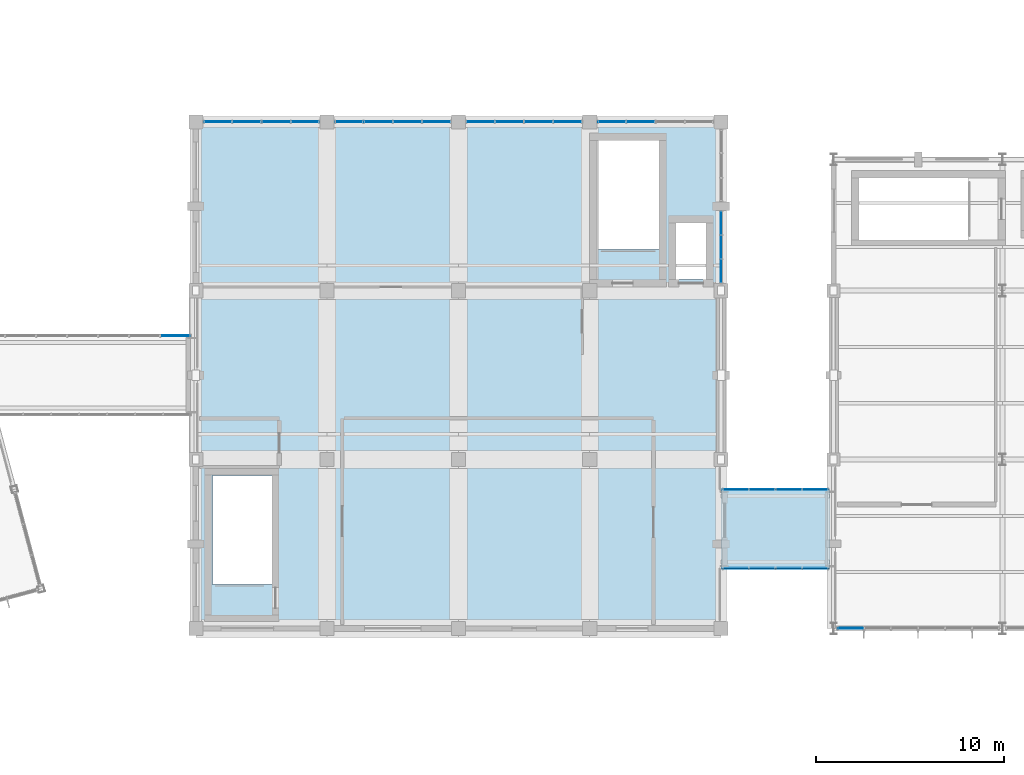
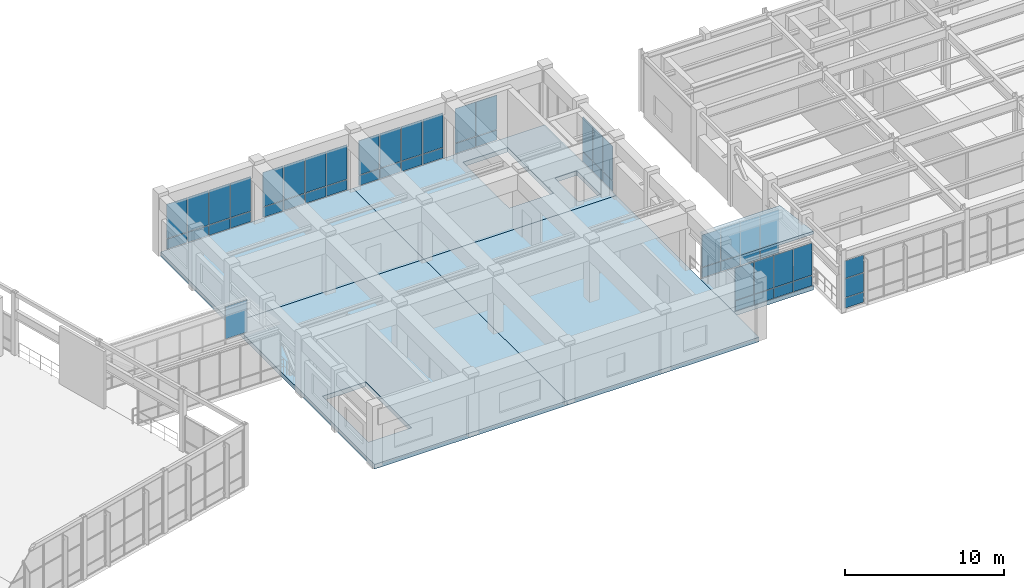
# One storey, part 76 of 99: 54 plates, 6 slabs, 9 elements without a shape of their own.
"""IFC4 building model written with IfcOpenShell, lengths in metres."""

from ifc_helpers import new_model, si_unit, direction, frame, origin, origin_2d, place, context, subcontext, project, spatial, polyline, rectangle, outline, extrude, material, layer, layer_set, type_object, element, aggregate, save


model = new_model("IFC4")

# Units and contexts
model_context = context("Model", 3, precision=1e-05, world=origin(), true_north=direction((0.0, 1.0)))
body_context = subcontext(model_context, "Body", "Model", "MODEL_VIEW")
ifc_project = project(units=[si_unit("LENGTHUNIT", "METRE"), si_unit("AREAUNIT", "SQUARE_METRE"), si_unit("VOLUMEUNIT", "CUBIC_METRE"), si_unit("PLANEANGLEUNIT", "RADIAN"), si_unit("MASSUNIT", "GRAM", prefix="KILO")], contexts=[model_context])

# Site, building, storey
site_placement = place(None, origin())
site = spatial("IfcSite", under=ifc_project, at=site_placement, CompositionType="ELEMENT")
building_placement = place(site_placement, origin())
building = spatial("IfcBuilding", under=site, at=building_placement, Name="Ventoquebrada Cableway Terminal", CompositionType="ELEMENT")
storey_placement = place(building_placement, frame((0.0, 0.0, 9.60009765625)))
storey = spatial("IfcBuildingStorey", under=building, at=storey_placement, Name="L02", CompositionType="ELEMENT", Elevation=9.60009765625)

# Curtain wall, plate
ifc_material_1 = material(Name="Anodized thermally-broken aluminium", Category="aluminium")
ifc_layer_1 = layer(ifc_material_1, 0.159912109375)
ifc_layer_set_1 = layer_set([ifc_layer_1], Name="Anodized thermally-broken aluminium")
curtain_wall_type_1 = type_object("IfcCurtainWallType", Name="CW-T28", PredefinedType="USERDEFINED", material=ifc_layer_set_1)
curtain_wall_1_placement = place(storey_placement, origin())
curtain_wall_1 = element("IfcCurtainWall", 1, at=curtain_wall_1_placement, inside=storey, type_object=curtain_wall_type_1, Name="Unitised glazed curtain wall CW-067", ObjectType="UNITISED CURTAIN WALL", PredefinedType="USERDEFINED")
ifc_material_2 = material(Name="Double low-e laminated safety glazing", Category="glass")
ifc_layer_2 = layer(ifc_material_2, 0.031982421875)
ifc_layer_set_2 = layer_set([ifc_layer_2], Name="Double low-e laminated safety glazing")
plate_type_1 = type_object("IfcPlateType", Name="CWP-GL1", PredefinedType="CURTAIN_PANEL", material=ifc_layer_set_2)
plate_1_placement = place(storey_placement, frame((123.0, 97.324951171875, 0.874267578125), z_axis=(0.0, 0.0, 1.0), x_axis=(0.0, 1.0, 0.0)))
plate_1 = element("IfcPlate", 2, at=plate_1_placement, type_object=plate_type_1, Name="Vision glazing panel PN-0668", PredefinedType="CURTAIN_PANEL", context=body_context, shape_type="SweptSolid", body=[
    extrude(rectangle(XDim=1.248046875, YDim=0.031982421875, at=origin_2d()), origin(), (0.0, 0.0, 1.0), 2.64111328125),
])

# Curtain wall, plates
ifc_layer_3 = layer(ifc_material_1, 0.159912109375)
ifc_layer_set_3 = layer_set([ifc_layer_3], Name="Anodized thermally-broken aluminium")
curtain_wall_type_2 = type_object("IfcCurtainWallType", Name="CW-T29", PredefinedType="USERDEFINED", material=ifc_layer_set_3)
curtain_wall_2_placement = place(storey_placement, origin())
curtain_wall_2 = element("IfcCurtainWall", 3, at=curtain_wall_2_placement, inside=storey, type_object=curtain_wall_type_2, Name="Unitised glazed curtain wall CW-069", ObjectType="UNITISED CURTAIN WALL", PredefinedType="USERDEFINED")
plate_2_placement = place(storey_placement, frame((99.280029296875, 104.0, 0.874267578125), z_axis=(0.0, 0.0, 1.0), x_axis=(-1.0, 0.0, 0.0)))
plate_2 = element("IfcPlate", 4, at=plate_2_placement, type_object=plate_type_1, Name="Vision glazing panel PN-0680", PredefinedType="CURTAIN_PANEL", context=body_context, shape_type="SweptSolid", body=[
    extrude(rectangle(XDim=1.510986328125, YDim=0.031982421875, at=origin_2d()), origin(), (0.0, 0.0, 1.0), 2.64111328125),
])
plate_3_placement = place(storey_placement, frame((96.177001953125, 104.0, 0.874267578125), z_axis=(0.0, 0.0, 1.0), x_axis=(-1.0, 0.0, 0.0)))
plate_3 = element("IfcPlate", 5, at=plate_3_placement, type_object=plate_type_1, Name="Vision glazing panel PN-0684", PredefinedType="CURTAIN_PANEL", context=body_context, shape_type="SweptSolid", body=[
    extrude(rectangle(XDim=1.47607421875, YDim=0.031982421875, at=origin_2d()), origin(), (0.0, 0.0, 1.0), 2.64111328125),
])

curtain_wall_3_placement = place(storey_placement, origin())
curtain_wall_3 = element("IfcCurtainWall", 6, at=curtain_wall_3_placement, inside=storey, type_object=curtain_wall_type_2, Name="Unitised glazed curtain wall CW-070", ObjectType="UNITISED CURTAIN WALL", PredefinedType="USERDEFINED")
plate_4_placement = place(storey_placement, frame((106.280029296875, 104.0, 0.874267578125), z_axis=(0.0, 0.0, 1.0), x_axis=(-1.0, 0.0, 0.0)))
plate_4 = element("IfcPlate", 7, at=plate_4_placement, type_object=plate_type_1, Name="Vision glazing panel PN-0688", PredefinedType="CURTAIN_PANEL", context=body_context, shape_type="SweptSolid", body=[
    extrude(rectangle(XDim=1.510986328125, YDim=0.031982421875, at=origin_2d()), origin(), (0.0, 0.0, 1.0), 2.64111328125),
])
plate_5_placement = place(storey_placement, frame((103.177001953125, 104.0, 0.874267578125), z_axis=(0.0, 0.0, 1.0), x_axis=(-1.0, 0.0, 0.0)))
plate_5 = element("IfcPlate", 8, at=plate_5_placement, type_object=plate_type_1, Name="Vision glazing panel PN-0692", PredefinedType="CURTAIN_PANEL", context=body_context, shape_type="SweptSolid", body=[
    extrude(rectangle(XDim=1.47607421875, YDim=0.031982421875, at=origin_2d()), origin(), (0.0, 0.0, 1.0), 2.64111328125),
])

curtain_wall_4_placement = place(storey_placement, origin())
curtain_wall_4 = element("IfcCurtainWall", 9, at=curtain_wall_4_placement, inside=storey, type_object=curtain_wall_type_2, Name="Unitised glazed curtain wall CW-071", ObjectType="UNITISED CURTAIN WALL", PredefinedType="USERDEFINED")
plate_6_placement = place(storey_placement, frame((113.280029296875, 104.0, 0.874267578125), z_axis=(0.0, 0.0, 1.0), x_axis=(-1.0, 0.0, 0.0)))
plate_6 = element("IfcPlate", 10, at=plate_6_placement, type_object=plate_type_1, Name="Vision glazing panel PN-0696", PredefinedType="CURTAIN_PANEL", context=body_context, shape_type="SweptSolid", body=[
    extrude(rectangle(XDim=1.510986328125, YDim=0.031982421875, at=origin_2d()), origin(), (0.0, 0.0, 1.0), 2.64111328125),
])
plate_7_placement = place(storey_placement, frame((110.177001953125, 104.0, 0.874267578125), z_axis=(0.0, 0.0, 1.0), x_axis=(-1.0, 0.0, 0.0)))
plate_7 = element("IfcPlate", 11, at=plate_7_placement, type_object=plate_type_1, Name="Vision glazing panel PN-0700", PredefinedType="CURTAIN_PANEL", context=body_context, shape_type="SweptSolid", body=[
    extrude(rectangle(XDim=1.47607421875, YDim=0.031982421875, at=origin_2d()), origin(), (0.0, 0.0, 1.0), 2.64111328125),
])

# Curtain wall, plate
curtain_wall_5_placement = place(storey_placement, origin())
curtain_wall_5 = element("IfcCurtainWall", 12, at=curtain_wall_5_placement, inside=storey, type_object=curtain_wall_type_2, Name="Unitised glazed curtain wall CW-072", ObjectType="UNITISED CURTAIN WALL", PredefinedType="USERDEFINED")
plate_8_placement = place(storey_placement, frame((117.177001953125, 104.0, 0.874267578125), z_axis=(0.0, 0.0, 1.0), x_axis=(-1.0, 0.0, 0.0)))
plate_8 = element("IfcPlate", 13, at=plate_8_placement, type_object=plate_type_1, Name="Vision glazing panel PN-0708", PredefinedType="CURTAIN_PANEL", context=body_context, shape_type="SweptSolid", body=[
    extrude(rectangle(XDim=1.47607421875, YDim=0.031982421875, at=origin_2d()), origin(), (0.0, 0.0, 1.0), 2.64111328125),
])

ifc_layer_4 = layer(ifc_material_1, 0.159912109375)
ifc_layer_set_4 = layer_set([ifc_layer_4], Name="Anodized thermally-broken aluminium")
curtain_wall_type_3 = type_object("IfcCurtainWallType", Name="CW-T33", PredefinedType="USERDEFINED", material=ifc_layer_set_4)
curtain_wall_6_placement = place(storey_placement, origin())
curtain_wall_6 = element("IfcCurtainWall", 14, at=curtain_wall_6_placement, inside=storey, type_object=curtain_wall_type_3, Name="Unitised glazed curtain wall CW-078", ObjectType="UNITISED CURTAIN WALL", PredefinedType="USERDEFINED")
plate_9_placement = place(storey_placement, frame((129.908935546875, 77.0, 2.35693359375), z_axis=(0.0, 0.0, 1.0), x_axis=(1.0, 0.0, 0.0)))
plate_9 = element("IfcPlate", 15, at=plate_9_placement, type_object=plate_type_1, Name="Vision glazing panel PN-0792", PredefinedType="CURTAIN_PANEL", context=body_context, shape_type="SweptSolid", body=[
    extrude(rectangle(XDim=1.360107421875, YDim=0.031982421875, at=origin_2d()), origin(), (0.0, 0.0, 1.0), 1.345947265625),
])

# Curtain wall, plates
ifc_layer_5 = layer(ifc_material_1, 0.159912109375)
ifc_layer_set_5 = layer_set([ifc_layer_5], Name="Anodized thermally-broken aluminium")
curtain_wall_type_4 = type_object("IfcCurtainWallType", Name="CW-T56", PredefinedType="USERDEFINED", material=ifc_layer_set_5)
curtain_wall_7_placement = place(storey_placement, origin())
curtain_wall_7 = element("IfcCurtainWall", 16, at=curtain_wall_7_placement, inside=storey, type_object=curtain_wall_type_4, Name="Unitised glazed curtain wall CW-175", ObjectType="UNITISED CURTAIN WALL", PredefinedType="USERDEFINED")
plate_10_placement = place(storey_placement, frame((125.18603515625, 80.199951171875, 0.87158203125), z_axis=(0.0, 0.0, 1.0), x_axis=(1.0, 0.0, 0.0)))
plate_10 = element("IfcPlate", 17, at=plate_10_placement, type_object=plate_type_1, Name="Vision glazing panel PN-1856", PredefinedType="CURTAIN_PANEL", context=body_context, shape_type="SweptSolid", body=[
    extrude(rectangle(XDim=1.383056640625, YDim=0.031982421875, at=origin_2d()), origin(), (0.0, 0.0, 1.0), 2.470947265625),
])
plate_11_placement = place(storey_placement, frame((128.02392578125, 80.199951171875, 0.87158203125), z_axis=(0.0, 0.0, 1.0), x_axis=(1.0, 0.0, 0.0)))
plate_11 = element("IfcPlate", 18, at=plate_11_placement, type_object=plate_type_1, Name="Vision glazing panel PN-1860", PredefinedType="CURTAIN_PANEL", context=body_context, shape_type="SweptSolid", body=[
    extrude(rectangle(XDim=1.347900390625, YDim=0.031982421875, at=origin_2d()), origin(), (0.0, 0.0, 1.0), 2.470947265625),
])

curtain_wall_8_placement = place(storey_placement, origin())
curtain_wall_8 = element("IfcCurtainWall", 19, at=curtain_wall_8_placement, inside=storey, type_object=curtain_wall_type_4, Name="Unitised glazed curtain wall CW-176", ObjectType="UNITISED CURTAIN WALL", PredefinedType="USERDEFINED")
plate_12_placement = place(storey_placement, frame((126.614013671875, 84.39990234375, 0.87158203125), z_axis=(0.0, 0.0, 1.0), x_axis=(-1.0, 0.0, 0.0)))
plate_12 = element("IfcPlate", 20, at=plate_12_placement, type_object=plate_type_1, Name="Vision glazing panel PN-1864", PredefinedType="CURTAIN_PANEL", context=body_context, shape_type="SweptSolid", body=[
    extrude(rectangle(XDim=1.383056640625, YDim=0.031982421875, at=origin_2d()), origin(), (0.0, 0.0, 1.0), 2.470947265625),
])
plate_13_placement = place(storey_placement, frame((123.77587890625, 84.39990234375, 0.87158203125), z_axis=(0.0, 0.0, 1.0), x_axis=(-1.0, 0.0, 0.0)))
plate_13 = element("IfcPlate", 21, at=plate_13_placement, type_object=plate_type_1, Name="Vision glazing panel PN-1868", PredefinedType="CURTAIN_PANEL", context=body_context, shape_type="SweptSolid", body=[
    extrude(rectangle(XDim=1.347900390625, YDim=0.031982421875, at=origin_2d()), origin(), (0.0, 0.0, 1.0), 2.470947265625),
])

# Plate
ifc_layer_6 = layer(ifc_material_2, 0.0380859375)
ifc_layer_set_6 = layer_set([ifc_layer_6], Name="Double low-e laminated safety glazing")
plate_type_2 = type_object("IfcPlateType", Name="CWP-GL2", PredefinedType="CURTAIN_PANEL", material=ifc_layer_set_6)
plate_14_placement = place(storey_placement, frame((123.0, 96.0458984375, 0.874267578125), z_axis=(0.0, 0.0, 1.0), x_axis=(0.0, 1.0, 0.0)))
plate_14 = element("IfcPlate", 22, at=plate_14_placement, type_object=plate_type_2, Name="Vision glazing panel PN-0666", PredefinedType="CURTAIN_PANEL", context=body_context, shape_type="SweptSolid", body=[
    extrude(rectangle(XDim=1.212890625, YDim=0.0380859375, at=origin_2d()), origin(), (0.0, 0.0, 1.0), 2.64111328125),
])

plate_15_placement = place(storey_placement, frame((123.0, 98.60400390625, 0.874267578125), z_axis=(0.0, 0.0, 1.0), x_axis=(0.0, 1.0, 0.0)))
plate_15 = element("IfcPlate", 23, at=plate_15_placement, type_object=plate_type_2, Name="Vision glazing panel PN-0670", PredefinedType="CURTAIN_PANEL", context=body_context, shape_type="SweptSolid", body=[
    extrude(rectangle(XDim=1.212890625, YDim=0.0380859375, at=origin_2d()), origin(), (0.0, 0.0, 1.0), 2.64111328125),
])

plate_16_placement = place(storey_placement, frame((100.822998046875, 104.0, 0.874267578125), z_axis=(0.0, 0.0, 1.0), x_axis=(-1.0, 0.0, 0.0)))
plate_16 = element("IfcPlate", 24, at=plate_16_placement, type_object=plate_type_2, Name="Vision glazing panel PN-0678", PredefinedType="CURTAIN_PANEL", context=body_context, shape_type="SweptSolid", body=[
    extrude(rectangle(XDim=1.47607421875, YDim=0.0380859375, at=origin_2d()), origin(), (0.0, 0.0, 1.0), 2.64111328125),
])

plate_17_placement = place(storey_placement, frame((97.719970703125, 104.0, 0.874267578125), z_axis=(0.0, 0.0, 1.0), x_axis=(-1.0, 0.0, 0.0)))
plate_17 = element("IfcPlate", 25, at=plate_17_placement, type_object=plate_type_2, Name="Vision glazing panel PN-0682", PredefinedType="CURTAIN_PANEL", context=body_context, shape_type="SweptSolid", body=[
    extrude(rectangle(XDim=1.510986328125, YDim=0.0380859375, at=origin_2d()), origin(), (0.0, 0.0, 1.0), 2.64111328125),
])

plate_18_placement = place(storey_placement, frame((107.822998046875, 104.0, 0.874267578125), z_axis=(0.0, 0.0, 1.0), x_axis=(-1.0, 0.0, 0.0)))
plate_18 = element("IfcPlate", 26, at=plate_18_placement, type_object=plate_type_2, Name="Vision glazing panel PN-0686", PredefinedType="CURTAIN_PANEL", context=body_context, shape_type="SweptSolid", body=[
    extrude(rectangle(XDim=1.47607421875, YDim=0.0380859375, at=origin_2d()), origin(), (0.0, 0.0, 1.0), 2.64111328125),
])

plate_19_placement = place(storey_placement, frame((104.719970703125, 104.0, 0.874267578125), z_axis=(0.0, 0.0, 1.0), x_axis=(-1.0, 0.0, 0.0)))
plate_19 = element("IfcPlate", 27, at=plate_19_placement, type_object=plate_type_2, Name="Vision glazing panel PN-0690", PredefinedType="CURTAIN_PANEL", context=body_context, shape_type="SweptSolid", body=[
    extrude(rectangle(XDim=1.510986328125, YDim=0.0380859375, at=origin_2d()), origin(), (0.0, 0.0, 1.0), 2.64111328125),
])

plate_20_placement = place(storey_placement, frame((114.822998046875, 104.0, 0.874267578125), z_axis=(0.0, 0.0, 1.0), x_axis=(-1.0, 0.0, 0.0)))
plate_20 = element("IfcPlate", 28, at=plate_20_placement, type_object=plate_type_2, Name="Vision glazing panel PN-0694", PredefinedType="CURTAIN_PANEL", context=body_context, shape_type="SweptSolid", body=[
    extrude(rectangle(XDim=1.47607421875, YDim=0.0380859375, at=origin_2d()), origin(), (0.0, 0.0, 1.0), 2.64111328125),
])

plate_21_placement = place(storey_placement, frame((111.719970703125, 104.0, 0.874267578125), z_axis=(0.0, 0.0, 1.0), x_axis=(-1.0, 0.0, 0.0)))
plate_21 = element("IfcPlate", 29, at=plate_21_placement, type_object=plate_type_2, Name="Vision glazing panel PN-0698", PredefinedType="CURTAIN_PANEL", context=body_context, shape_type="SweptSolid", body=[
    extrude(rectangle(XDim=1.510986328125, YDim=0.0380859375, at=origin_2d()), origin(), (0.0, 0.0, 1.0), 2.64111328125),
])

plate_22_placement = place(storey_placement, frame((118.719970703125, 104.0, 0.874267578125), z_axis=(0.0, 0.0, 1.0), x_axis=(-1.0, 0.0, 0.0)))
plate_22 = element("IfcPlate", 30, at=plate_22_placement, type_object=plate_type_2, Name="Vision glazing panel PN-0706", PredefinedType="CURTAIN_PANEL", context=body_context, shape_type="SweptSolid", body=[
    extrude(rectangle(XDim=1.510986328125, YDim=0.0380859375, at=origin_2d()), origin(), (0.0, 0.0, 1.0), 2.64111328125),
])

plate_23_placement = place(storey_placement, frame((129.908935546875, 77.0, 0.873779296875), z_axis=(0.0, 0.0, 1.0), x_axis=(1.0, 0.0, 0.0)))
plate_23 = element("IfcPlate", 31, at=plate_23_placement, type_object=plate_type_2, Name="Vision glazing panel PN-0791", PredefinedType="CURTAIN_PANEL", context=body_context, shape_type="SweptSolid", body=[
    extrude(rectangle(XDim=1.360107421875, YDim=0.0380859375, at=origin_2d()), origin(), (0.0, 0.0, 1.0), 1.43408203125),
])

# Curtain wall, plate
ifc_layer_7 = layer(ifc_material_1, 0.159912109375)
ifc_layer_set_7 = layer_set([ifc_layer_7], Name="Anodized thermally-broken aluminium")
curtain_wall_type_5 = type_object("IfcCurtainWallType", Name="CW-T55", PredefinedType="USERDEFINED", material=ifc_layer_set_7)
curtain_wall_9_placement = place(storey_placement, origin())
curtain_wall_9 = element("IfcCurtainWall", 32, at=curtain_wall_9_placement, inside=storey, type_object=curtain_wall_type_5, Name="Unitised glazed curtain wall CW-174", ObjectType="UNITISED CURTAIN WALL", PredefinedType="USERDEFINED")
plate_24_placement = place(storey_placement, frame((93.909912109375, 92.60009765625, 0.87158203125), z_axis=(0.0, 0.0, 1.0), x_axis=(-1.0, 0.0, 0.0)))
plate_24 = element("IfcPlate", 33, at=plate_24_placement, type_object=plate_type_2, Name="Vision glazing panel PN-1840", PredefinedType="CURTAIN_PANEL", context=body_context, shape_type="SweptSolid", body=[
    extrude(rectangle(XDim=1.574951171875, YDim=0.0380859375, at=origin_2d()), origin(), (0.0, 0.0, 1.0), 2.470947265625),
])
aggregate(curtain_wall_9, [plate_24])

# Plate
plate_25_placement = place(storey_placement, frame((123.77587890625, 80.199951171875, 0.87158203125), z_axis=(0.0, 0.0, 1.0), x_axis=(1.0, 0.0, 0.0)))
plate_25 = element("IfcPlate", 34, at=plate_25_placement, type_object=plate_type_2, Name="Vision glazing panel PN-1854", PredefinedType="CURTAIN_PANEL", context=body_context, shape_type="SweptSolid", body=[
    extrude(rectangle(XDim=1.347900390625, YDim=0.0380859375, at=origin_2d()), origin(), (0.0, 0.0, 1.0), 2.470947265625),
])

plate_26_placement = place(storey_placement, frame((126.614013671875, 80.199951171875, 0.87158203125), z_axis=(0.0, 0.0, 1.0), x_axis=(1.0, 0.0, 0.0)))
plate_26 = element("IfcPlate", 35, at=plate_26_placement, type_object=plate_type_2, Name="Vision glazing panel PN-1858", PredefinedType="CURTAIN_PANEL", context=body_context, shape_type="SweptSolid", body=[
    extrude(rectangle(XDim=1.383056640625, YDim=0.0380859375, at=origin_2d()), origin(), (0.0, 0.0, 1.0), 2.470947265625),
])

plate_27_placement = place(storey_placement, frame((128.02392578125, 84.39990234375, 0.87158203125), z_axis=(0.0, 0.0, 1.0), x_axis=(-1.0, 0.0, 0.0)))
plate_27 = element("IfcPlate", 36, at=plate_27_placement, type_object=plate_type_2, Name="Vision glazing panel PN-1862", PredefinedType="CURTAIN_PANEL", context=body_context, shape_type="SweptSolid", body=[
    extrude(rectangle(XDim=1.347900390625, YDim=0.0380859375, at=origin_2d()), origin(), (0.0, 0.0, 1.0), 2.470947265625),
])

plate_28_placement = place(storey_placement, frame((125.18603515625, 84.39990234375, 0.87158203125), z_axis=(0.0, 0.0, 1.0), x_axis=(-1.0, 0.0, 0.0)))
plate_28 = element("IfcPlate", 37, at=plate_28_placement, type_object=plate_type_2, Name="Vision glazing panel PN-1866", PredefinedType="CURTAIN_PANEL", context=body_context, shape_type="SweptSolid", body=[
    extrude(rectangle(XDim=1.383056640625, YDim=0.0380859375, at=origin_2d()), origin(), (0.0, 0.0, 1.0), 2.470947265625),
])

ifc_material_3 = material(Name="Insulated aluminium spandrel cassette", Category="aluminium")
ifc_layer_8 = layer(ifc_material_3, 0.044921875)
ifc_layer_set_8 = layer_set([ifc_layer_8], Name="Insulated aluminium spandrel cassette")
plate_type_3 = type_object("IfcPlateType", Name="CWP-SP1", PredefinedType="CURTAIN_PANEL", material=ifc_layer_set_8)
plate_29_placement = place(storey_placement, frame((123.0, 96.0458984375, 0.059814453125), z_axis=(0.0, 0.0, 1.0), x_axis=(0.0, 1.0, 0.0)))
plate_29 = element("IfcPlate", 38, at=plate_29_placement, type_object=plate_type_3, Name="Insulated spandrel panel PN-0665", PredefinedType="CURTAIN_PANEL", context=body_context, shape_type="SweptSolid", body=[
    extrude(rectangle(XDim=1.212890625, YDim=0.044921875, at=origin_2d()), origin(), (0.0, 0.0, 1.0), 0.76611328125),
])

plate_30_placement = place(storey_placement, frame((123.0, 97.324951171875, 0.059814453125), z_axis=(0.0, 0.0, 1.0), x_axis=(0.0, 1.0, 0.0)))
plate_30 = element("IfcPlate", 39, at=plate_30_placement, type_object=plate_type_3, Name="Insulated spandrel panel PN-0667", PredefinedType="CURTAIN_PANEL", context=body_context, shape_type="SweptSolid", body=[
    extrude(rectangle(XDim=1.248046875, YDim=0.044921875, at=origin_2d()), origin(), (0.0, 0.0, 1.0), 0.76611328125),
])

plate_31_placement = place(storey_placement, frame((123.0, 98.60400390625, 0.059814453125), z_axis=(0.0, 0.0, 1.0), x_axis=(0.0, 1.0, 0.0)))
plate_31 = element("IfcPlate", 40, at=plate_31_placement, type_object=plate_type_3, Name="Insulated spandrel panel PN-0669", PredefinedType="CURTAIN_PANEL", context=body_context, shape_type="SweptSolid", body=[
    extrude(rectangle(XDim=1.212890625, YDim=0.044921875, at=origin_2d()), origin(), (0.0, 0.0, 1.0), 0.76611328125),
])

aggregate(curtain_wall_1, [plate_29, plate_14, plate_30, plate_1, plate_31, plate_15])

plate_32_placement = place(storey_placement, frame((100.822998046875, 104.0, 0.059814453125), z_axis=(0.0, 0.0, 1.0), x_axis=(-1.0, 0.0, 0.0)))
plate_32 = element("IfcPlate", 41, at=plate_32_placement, type_object=plate_type_3, Name="Insulated spandrel panel PN-0677", PredefinedType="CURTAIN_PANEL", context=body_context, shape_type="SweptSolid", body=[
    extrude(rectangle(XDim=1.47607421875, YDim=0.044921875, at=origin_2d()), origin(), (0.0, 0.0, 1.0), 0.76611328125),
])

plate_33_placement = place(storey_placement, frame((99.280029296875, 104.0, 0.059814453125), z_axis=(0.0, 0.0, 1.0), x_axis=(-1.0, 0.0, 0.0)))
plate_33 = element("IfcPlate", 42, at=plate_33_placement, type_object=plate_type_3, Name="Insulated spandrel panel PN-0679", PredefinedType="CURTAIN_PANEL", context=body_context, shape_type="SweptSolid", body=[
    extrude(rectangle(XDim=1.510986328125, YDim=0.044921875, at=origin_2d()), origin(), (0.0, 0.0, 1.0), 0.76611328125),
])

plate_34_placement = place(storey_placement, frame((97.719970703125, 104.0, 0.059814453125), z_axis=(0.0, 0.0, 1.0), x_axis=(-1.0, 0.0, 0.0)))
plate_34 = element("IfcPlate", 43, at=plate_34_placement, type_object=plate_type_3, Name="Insulated spandrel panel PN-0681", PredefinedType="CURTAIN_PANEL", context=body_context, shape_type="SweptSolid", body=[
    extrude(rectangle(XDim=1.510986328125, YDim=0.044921875, at=origin_2d()), origin(), (0.0, 0.0, 1.0), 0.76611328125),
])

plate_35_placement = place(storey_placement, frame((96.177001953125, 104.0, 0.059814453125), z_axis=(0.0, 0.0, 1.0), x_axis=(-1.0, 0.0, 0.0)))
plate_35 = element("IfcPlate", 44, at=plate_35_placement, type_object=plate_type_3, Name="Insulated spandrel panel PN-0683", PredefinedType="CURTAIN_PANEL", context=body_context, shape_type="SweptSolid", body=[
    extrude(rectangle(XDim=1.47607421875, YDim=0.044921875, at=origin_2d()), origin(), (0.0, 0.0, 1.0), 0.76611328125),
])

aggregate(curtain_wall_2, [plate_32, plate_16, plate_33, plate_2, plate_34, plate_17, plate_35, plate_3])

plate_36_placement = place(storey_placement, frame((107.822998046875, 104.0, 0.059814453125), z_axis=(0.0, 0.0, 1.0), x_axis=(-1.0, 0.0, 0.0)))
plate_36 = element("IfcPlate", 45, at=plate_36_placement, type_object=plate_type_3, Name="Insulated spandrel panel PN-0685", PredefinedType="CURTAIN_PANEL", context=body_context, shape_type="SweptSolid", body=[
    extrude(rectangle(XDim=1.47607421875, YDim=0.044921875, at=origin_2d()), origin(), (0.0, 0.0, 1.0), 0.76611328125),
])

plate_37_placement = place(storey_placement, frame((106.280029296875, 104.0, 0.059814453125), z_axis=(0.0, 0.0, 1.0), x_axis=(-1.0, 0.0, 0.0)))
plate_37 = element("IfcPlate", 46, at=plate_37_placement, type_object=plate_type_3, Name="Insulated spandrel panel PN-0687", PredefinedType="CURTAIN_PANEL", context=body_context, shape_type="SweptSolid", body=[
    extrude(rectangle(XDim=1.510986328125, YDim=0.044921875, at=origin_2d()), origin(), (0.0, 0.0, 1.0), 0.76611328125),
])

plate_38_placement = place(storey_placement, frame((104.719970703125, 104.0, 0.059814453125), z_axis=(0.0, 0.0, 1.0), x_axis=(-1.0, 0.0, 0.0)))
plate_38 = element("IfcPlate", 47, at=plate_38_placement, type_object=plate_type_3, Name="Insulated spandrel panel PN-0689", PredefinedType="CURTAIN_PANEL", context=body_context, shape_type="SweptSolid", body=[
    extrude(rectangle(XDim=1.510986328125, YDim=0.044921875, at=origin_2d()), origin(), (0.0, 0.0, 1.0), 0.76611328125),
])

plate_39_placement = place(storey_placement, frame((103.177001953125, 104.0, 0.059814453125), z_axis=(0.0, 0.0, 1.0), x_axis=(-1.0, 0.0, 0.0)))
plate_39 = element("IfcPlate", 48, at=plate_39_placement, type_object=plate_type_3, Name="Insulated spandrel panel PN-0691", PredefinedType="CURTAIN_PANEL", context=body_context, shape_type="SweptSolid", body=[
    extrude(rectangle(XDim=1.47607421875, YDim=0.044921875, at=origin_2d()), origin(), (0.0, 0.0, 1.0), 0.76611328125),
])

aggregate(curtain_wall_3, [plate_36, plate_18, plate_37, plate_4, plate_38, plate_19, plate_39, plate_5])

plate_40_placement = place(storey_placement, frame((114.822998046875, 104.0, 0.059814453125), z_axis=(0.0, 0.0, 1.0), x_axis=(-1.0, 0.0, 0.0)))
plate_40 = element("IfcPlate", 49, at=plate_40_placement, type_object=plate_type_3, Name="Insulated spandrel panel PN-0693", PredefinedType="CURTAIN_PANEL", context=body_context, shape_type="SweptSolid", body=[
    extrude(rectangle(XDim=1.47607421875, YDim=0.044921875, at=origin_2d()), origin(), (0.0, 0.0, 1.0), 0.76611328125),
])

plate_41_placement = place(storey_placement, frame((113.280029296875, 104.0, 0.059814453125), z_axis=(0.0, 0.0, 1.0), x_axis=(-1.0, 0.0, 0.0)))
plate_41 = element("IfcPlate", 50, at=plate_41_placement, type_object=plate_type_3, Name="Insulated spandrel panel PN-0695", PredefinedType="CURTAIN_PANEL", context=body_context, shape_type="SweptSolid", body=[
    extrude(rectangle(XDim=1.510986328125, YDim=0.044921875, at=origin_2d()), origin(), (0.0, 0.0, 1.0), 0.76611328125),
])

plate_42_placement = place(storey_placement, frame((111.719970703125, 104.0, 0.059814453125), z_axis=(0.0, 0.0, 1.0), x_axis=(-1.0, 0.0, 0.0)))
plate_42 = element("IfcPlate", 51, at=plate_42_placement, type_object=plate_type_3, Name="Insulated spandrel panel PN-0697", PredefinedType="CURTAIN_PANEL", context=body_context, shape_type="SweptSolid", body=[
    extrude(rectangle(XDim=1.510986328125, YDim=0.044921875, at=origin_2d()), origin(), (0.0, 0.0, 1.0), 0.76611328125),
])

plate_43_placement = place(storey_placement, frame((110.177001953125, 104.0, 0.059814453125), z_axis=(0.0, 0.0, 1.0), x_axis=(-1.0, 0.0, 0.0)))
plate_43 = element("IfcPlate", 52, at=plate_43_placement, type_object=plate_type_3, Name="Insulated spandrel panel PN-0699", PredefinedType="CURTAIN_PANEL", context=body_context, shape_type="SweptSolid", body=[
    extrude(rectangle(XDim=1.47607421875, YDim=0.044921875, at=origin_2d()), origin(), (0.0, 0.0, 1.0), 0.76611328125),
])

aggregate(curtain_wall_4, [plate_40, plate_20, plate_41, plate_6, plate_42, plate_21, plate_43, plate_7])

plate_44_placement = place(storey_placement, frame((118.719970703125, 104.0, 0.059814453125), z_axis=(0.0, 0.0, 1.0), x_axis=(-1.0, 0.0, 0.0)))
plate_44 = element("IfcPlate", 53, at=plate_44_placement, type_object=plate_type_3, Name="Insulated spandrel panel PN-0705", PredefinedType="CURTAIN_PANEL", context=body_context, shape_type="SweptSolid", body=[
    extrude(rectangle(XDim=1.510986328125, YDim=0.044921875, at=origin_2d()), origin(), (0.0, 0.0, 1.0), 0.76611328125),
])

plate_45_placement = place(storey_placement, frame((117.177001953125, 104.0, 0.059814453125), z_axis=(0.0, 0.0, 1.0), x_axis=(-1.0, 0.0, 0.0)))
plate_45 = element("IfcPlate", 54, at=plate_45_placement, type_object=plate_type_3, Name="Insulated spandrel panel PN-0707", PredefinedType="CURTAIN_PANEL", context=body_context, shape_type="SweptSolid", body=[
    extrude(rectangle(XDim=1.47607421875, YDim=0.044921875, at=origin_2d()), origin(), (0.0, 0.0, 1.0), 0.76611328125),
])

aggregate(curtain_wall_5, [plate_44, plate_22, plate_45, plate_8])

plate_46_placement = place(storey_placement, frame((129.908935546875, 77.0, 0.059814453125), z_axis=(0.0, 0.0, 1.0), x_axis=(1.0, 0.0, 0.0)))
plate_46 = element("IfcPlate", 55, at=plate_46_placement, type_object=plate_type_3, Name="Insulated spandrel panel PN-0790", PredefinedType="CURTAIN_PANEL", context=body_context, shape_type="SweptSolid", body=[
    extrude(rectangle(XDim=1.360107421875, YDim=0.044921875, at=origin_2d()), origin(), (0.0, 0.0, 1.0), 0.76611328125),
])

aggregate(curtain_wall_6, [plate_46, plate_23, plate_9])

plate_47_placement = place(storey_placement, frame((123.77587890625, 80.199951171875, 0.057373046875), z_axis=(0.0, 0.0, 1.0), x_axis=(1.0, 0.0, 0.0)))
plate_47 = element("IfcPlate", 56, at=plate_47_placement, type_object=plate_type_3, Name="Insulated spandrel panel PN-1853", PredefinedType="CURTAIN_PANEL", context=body_context, shape_type="SweptSolid", body=[
    extrude(rectangle(XDim=1.347900390625, YDim=0.044921875, at=origin_2d()), origin(), (0.0, 0.0, 1.0), 0.77099609375),
])

plate_48_placement = place(storey_placement, frame((125.18603515625, 80.199951171875, 0.057373046875), z_axis=(0.0, 0.0, 1.0), x_axis=(1.0, 0.0, 0.0)))
plate_48 = element("IfcPlate", 57, at=plate_48_placement, type_object=plate_type_3, Name="Insulated spandrel panel PN-1855", PredefinedType="CURTAIN_PANEL", context=body_context, shape_type="SweptSolid", body=[
    extrude(rectangle(XDim=1.383056640625, YDim=0.044921875, at=origin_2d()), origin(), (0.0, 0.0, 1.0), 0.77099609375),
])

plate_49_placement = place(storey_placement, frame((126.614013671875, 80.199951171875, 0.057373046875), z_axis=(0.0, 0.0, 1.0), x_axis=(1.0, 0.0, 0.0)))
plate_49 = element("IfcPlate", 58, at=plate_49_placement, type_object=plate_type_3, Name="Insulated spandrel panel PN-1857", PredefinedType="CURTAIN_PANEL", context=body_context, shape_type="SweptSolid", body=[
    extrude(rectangle(XDim=1.383056640625, YDim=0.044921875, at=origin_2d()), origin(), (0.0, 0.0, 1.0), 0.77099609375),
])

plate_50_placement = place(storey_placement, frame((128.02392578125, 80.199951171875, 0.057373046875), z_axis=(0.0, 0.0, 1.0), x_axis=(1.0, 0.0, 0.0)))
plate_50 = element("IfcPlate", 59, at=plate_50_placement, type_object=plate_type_3, Name="Insulated spandrel panel PN-1859", PredefinedType="CURTAIN_PANEL", context=body_context, shape_type="SweptSolid", body=[
    extrude(rectangle(XDim=1.347900390625, YDim=0.044921875, at=origin_2d()), origin(), (0.0, 0.0, 1.0), 0.77099609375),
])

aggregate(curtain_wall_7, [plate_47, plate_25, plate_48, plate_10, plate_49, plate_26, plate_50, plate_11])

plate_51_placement = place(storey_placement, frame((128.02392578125, 84.39990234375, 0.057373046875), z_axis=(0.0, 0.0, 1.0), x_axis=(-1.0, 0.0, 0.0)))
plate_51 = element("IfcPlate", 60, at=plate_51_placement, type_object=plate_type_3, Name="Insulated spandrel panel PN-1861", PredefinedType="CURTAIN_PANEL", context=body_context, shape_type="SweptSolid", body=[
    extrude(rectangle(XDim=1.347900390625, YDim=0.044921875, at=origin_2d()), origin(), (0.0, 0.0, 1.0), 0.77099609375),
])

plate_52_placement = place(storey_placement, frame((126.614013671875, 84.39990234375, 0.057373046875), z_axis=(0.0, 0.0, 1.0), x_axis=(-1.0, 0.0, 0.0)))
plate_52 = element("IfcPlate", 61, at=plate_52_placement, type_object=plate_type_3, Name="Insulated spandrel panel PN-1863", PredefinedType="CURTAIN_PANEL", context=body_context, shape_type="SweptSolid", body=[
    extrude(rectangle(XDim=1.383056640625, YDim=0.044921875, at=origin_2d()), origin(), (0.0, 0.0, 1.0), 0.77099609375),
])

plate_53_placement = place(storey_placement, frame((125.18603515625, 84.39990234375, 0.057373046875), z_axis=(0.0, 0.0, 1.0), x_axis=(-1.0, 0.0, 0.0)))
plate_53 = element("IfcPlate", 62, at=plate_53_placement, type_object=plate_type_3, Name="Insulated spandrel panel PN-1865", PredefinedType="CURTAIN_PANEL", context=body_context, shape_type="SweptSolid", body=[
    extrude(rectangle(XDim=1.383056640625, YDim=0.044921875, at=origin_2d()), origin(), (0.0, 0.0, 1.0), 0.77099609375),
])

plate_54_placement = place(storey_placement, frame((123.77587890625, 84.39990234375, 0.057373046875), z_axis=(0.0, 0.0, 1.0), x_axis=(-1.0, 0.0, 0.0)))
plate_54 = element("IfcPlate", 63, at=plate_54_placement, type_object=plate_type_3, Name="Insulated spandrel panel PN-1867", PredefinedType="CURTAIN_PANEL", context=body_context, shape_type="SweptSolid", body=[
    extrude(rectangle(XDim=1.347900390625, YDim=0.044921875, at=origin_2d()), origin(), (0.0, 0.0, 1.0), 0.77099609375),
])

aggregate(curtain_wall_8, [plate_51, plate_27, plate_52, plate_12, plate_53, plate_28, plate_54, plate_13])

# Slabs
ifc_material_4 = material(Name="Concrete C40/50", Category="concrete")
ifc_layer_9 = layer(ifc_material_4, 0.324951171875)
ifc_layer_set_9 = layer_set([ifc_layer_9], Name="Concrete C40/50")
slab_type_1 = type_object("IfcSlabType", Name="SL-DK1", PredefinedType="FLOOR", material=ifc_layer_set_9)
slab_1_placement = place(storey_placement, frame((0.0, 0.0, -0.3251953125)))
element("IfcSlab", 64, at=slab_1_placement, inside=storey, type_object=slab_type_1, Name="Link bridge deck slab LP-4 SL-091", PredefinedType="FLOOR", context=body_context, shape_type="SweptSolid", body=[
    extrude(outline(polyline([(123.0, 80.199951171875), (128.800048828125, 80.199951171875), (128.800048828125, 84.39990234375), (123.0, 84.39990234375), (123.0, 80.199951171875)])), origin(), (0.0, 0.0, 1.0), 0.3251953125),
])
ifc_layer_10 = layer(ifc_material_4, 0.35009765625)
ifc_layer_set_10 = layer_set([ifc_layer_10], Name="Concrete C40/50")
slab_type_2 = type_object("IfcSlabType", Name="SL-FL2", PredefinedType="FLOOR", material=ifc_layer_set_10)
slab_2_placement = place(storey_placement, frame((0.0, 0.0, -0.35009765625)))
element("IfcSlab", 65, at=slab_2_placement, inside=storey, type_object=slab_type_2, Name="Reinforced concrete floor slab SL-043", PredefinedType="FLOOR", context=body_context, shape_type="SweptSolid", body=[
    extrude(outline(polyline([(109.0, 77.0), (109.0, 95.0), (95.0, 95.0), (95.0, 77.0), (109.0, 77.0)]), holes=[polyline([(99.050048828125, 79.340087890625), (95.89990234375, 79.340087890625), (95.89990234375, 85.14990234375), (99.050048828125, 85.14990234375), (99.050048828125, 79.340087890625)])]), origin(), (0.0, 0.0, 1.0), 0.35009765625),
])
slab_3_placement = place(storey_placement, frame((0.0, 0.0, -0.35009765625)))
element("IfcSlab", 66, at=slab_3_placement, inside=storey, type_object=slab_type_2, Name="Reinforced concrete floor slab SL-044", PredefinedType="FLOOR", context=body_context, shape_type="SweptSolid", body=[
    extrude(outline(polyline([(109.0, 95.0), (109.0, 104.0), (95.0, 104.0), (95.0, 95.0), (109.0, 95.0)])), origin(), (0.0, 0.0, 1.0), 0.35009765625),
])
slab_4_placement = place(storey_placement, frame((0.0, 0.0, -0.35009765625)))
element("IfcSlab", 67, at=slab_4_placement, inside=storey, type_object=slab_type_2, Name="Reinforced concrete floor slab SL-045", PredefinedType="FLOOR", context=body_context, shape_type="SweptSolid", body=[
    extrude(outline(polyline([(123.0, 77.0), (123.0, 95.0), (109.0, 95.0), (109.0, 77.0), (123.0, 77.0)])), origin(), (0.0, 0.0, 1.0), 0.35009765625),
])
slab_5_placement = place(storey_placement, frame((0.0, 0.0, -0.35009765625)))
element("IfcSlab", 68, at=slab_5_placement, inside=storey, type_object=slab_type_2, Name="Reinforced concrete floor slab SL-046", PredefinedType="FLOOR", context=body_context, shape_type="SweptSolid", body=[
    extrude(outline(polyline([(109.0, 95.0), (123.0, 95.0), (123.0, 104.0), (109.0, 104.0), (109.0, 95.0)]), holes=[polyline([(119.699951171875, 103.0), (119.699951171875, 97.18994140625), (116.449951171875, 97.18994140625), (116.449951171875, 103.0), (119.699951171875, 103.0)]), polyline([(122.199951171875, 95.60009765625), (120.60009765625, 95.60009765625), (120.60009765625, 98.60009765625), (122.199951171875, 98.60009765625), (122.199951171875, 95.60009765625)])]), origin(), (0.0, 0.0, 1.0), 0.35009765625),
])
ifc_material_5 = material(Name="Concrete C45/55", Category="concrete")
ifc_layer_11 = layer(ifc_material_5, 0.260009765625)
ifc_layer_set_11 = layer_set([ifc_layer_11], Name="Concrete C45/55")
slab_type_3 = type_object("IfcSlabType", Name="SL-RF3", PredefinedType="ROOF", material=ifc_layer_set_11)
slab_6_placement = place(storey_placement, frame((123.0, 80.175048828125, 4.004638671875), z_axis=(0.0, 0.130536507296, 0.991443503314), x_axis=(1.0, 0.0, 0.0)))
element("IfcSlab", 69, at=slab_6_placement, inside=storey, type_object=slab_type_3, Name="Link bridge sloped roof slab SL-092", PredefinedType="ROOF", context=body_context, shape_type="SweptSolid", body=[
    extrude(outline(polyline([(0.0, 0.0), (5.800048828125, 0.0), (5.800048828125, 4.236198187629683), (0.0, 4.236198187629683), (0.0, 0.0)])), origin(), (0.0, 0.0, 1.0), 0.18994140625),
])

save(model, "model.ifc")
